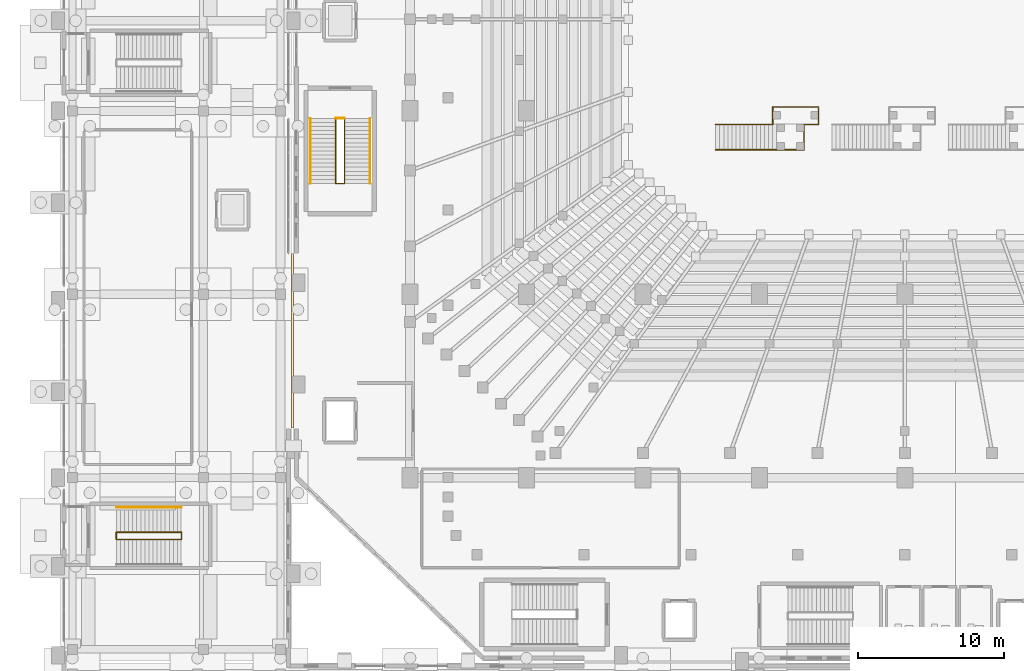
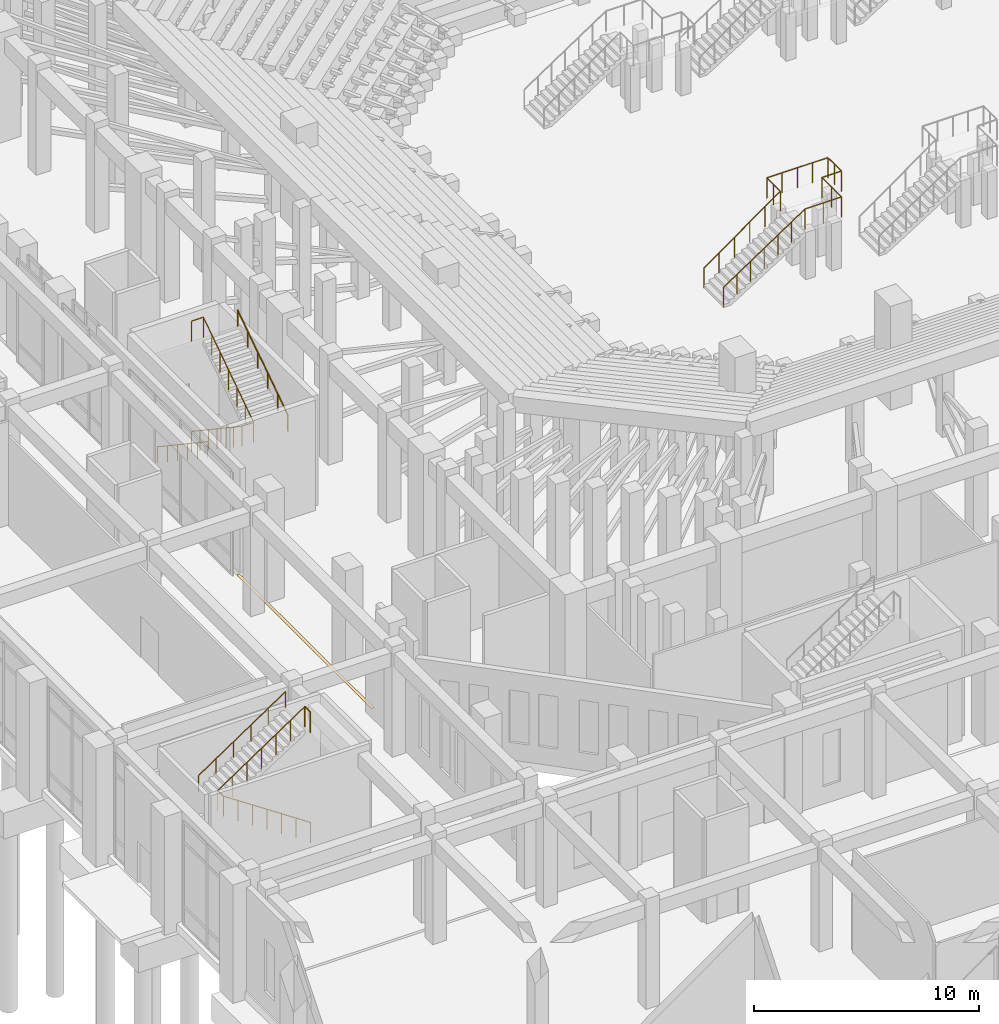
# One storey, part 130 of 143: 8 railings, 1 covering.
"""IFC4 building model written with IfcOpenShell, lengths in metres."""

from ifc_helpers import new_model, si_unit, derived_unit, direction, frame, origin, origin_2d, place, context, subcontext, project, spatial, polyline, circle, outline, extrude, material, layer, layer_set, type_object, element, save


model = new_model("IFC4")

# Units and contexts
model_context = context("Model", 3, precision=1e-05, world=origin(), true_north=direction((0.0, 1.0)))
body_context = subcontext(model_context, "Body", "Model", "MODEL_VIEW")
ifc_project = project(units=[si_unit("LENGTHUNIT", "METRE"), si_unit("AREAUNIT", "SQUARE_METRE"), si_unit("VOLUMEUNIT", "CUBIC_METRE"), si_unit("PLANEANGLEUNIT", "RADIAN"), si_unit("MASSUNIT", "GRAM", prefix="KILO"), derived_unit("THERMALTRANSMITTANCEUNIT", [(si_unit("MASSUNIT", "GRAM", prefix="KILO"), 1), (si_unit("TIMEUNIT", "SECOND"), -3), (si_unit("THERMODYNAMICTEMPERATUREUNIT", "KELVIN"), -1)])], contexts=[model_context])

# Site, building, storey
site_placement = place(None, origin())
site = spatial("IfcSite", under=ifc_project, at=site_placement, CompositionType="ELEMENT")
building_placement = place(site_placement, origin())
building = spatial("IfcBuilding", under=site, at=building_placement, Name="Valcora Ridge Arena", CompositionType="ELEMENT")
storey_placement = place(building_placement, origin())
storey = spatial("IfcBuildingStorey", under=building, at=storey_placement, Name="L00", CompositionType="ELEMENT", Elevation=0.0)

# Covering
ifc_material_1 = material(Name="Steel ASTM A572 Grade 50", Category="steel")
ifc_layer = layer(ifc_material_1, 0.02001953125, Name="Steel ASTM A572 Grade 50")
ifc_layer_set = layer_set([ifc_layer], Name="Steel ASTM A572 Grade 50")
covering_type = type_object("IfcCoveringType", Name="TY-COVERING-COV-SJ-150", PredefinedType="FLOORING", material=ifc_layer_set)
covering_placement = place(storey_placement, frame((0.0, 0.0, -0.02001953125)))
element("IfcCovering", 1, at=covering_placement, inside=storey, type_object=covering_type, Name="COV-SJ-150 COV-SJ-0005", PredefinedType="FLOORING", context=body_context, shape_type="SweptSolid", body=[
    extrude(outline(polyline([(15.85009765625, 36.0), (16.0, 36.0), (16.0, 48.0), (15.85009765625, 48.0), (15.85009765625, 36.0)])), origin(), (0.0, 0.0, 1.0), 0.02001953125),
])

# Railings
ifc_material_2 = material(Name="Galvanized painted steel ASTM A500 Grade B", Category="steel")
railing_type_1 = type_object("IfcRailingType", Name="TY-RAILING-GRD-STAIR-1120", PredefinedType="GUARDRAIL", material=ifc_material_2)
railing_1_placement = place(storey_placement, frame((18.89990234375, 57.2900390625, 0.0)))
element("IfcRailing", 2, at=railing_1_placement, inside=storey, type_object=railing_type_1, Name="GRD-STAIR-1120 RAL-SG-0047", PredefinedType="GUARDRAIL", context=body_context, shape_type="SweptSolid", body=[
    extrude(circle(Radius=0.02392578125, at=origin_2d()), frame((0.0, 0.0, 1.09619140625), z_axis=(0.0, -0.830906055479, 0.556412730775), x_axis=(1.0, 0.0, 0.0)), (0.0, 0.0, 1.0), 5.3916015625),
    extrude(circle(Radius=0.02392578125, at=origin_2d()), frame((0.0, -4.47998046875, 4.09619140625), z_axis=(1.0, 0.0, 0.0), x_axis=(0.0, 1.0, 0.0)), (0.0, 0.0, 1.0), 0.60009765625),
    extrude(circle(Radius=0.02392578125, at=origin_2d()), frame((0.60009765625, -4.47998046875, 4.09619140625), z_axis=(0.0, 0.830906055479, 0.556412730775), x_axis=(-1.0, 0.0, 0.0)), (0.0, 0.0, 1.0), 5.3916015625),
    extrude(circle(Radius=0.02099609375, at=origin_2d()), origin(), (0.0, 0.0, 1.0), 1.072021484375),
    extrude(circle(Radius=0.02099609375, at=origin_2d()), frame((0.0, -0.74658203125, 0.5)), (0.0, 0.0, 1.0), 1.072021484375),
    extrude(circle(Radius=0.02099609375, at=origin_2d()), frame((0.0, -1.493408203125, 1.0)), (0.0, 0.0, 1.0), 1.072021484375),
    extrude(circle(Radius=0.02099609375, at=origin_2d()), frame((0.0, -2.239990234375, 1.5)), (0.0, 0.0, 1.0), 1.072021484375),
    extrude(circle(Radius=0.02099609375, at=origin_2d()), frame((0.0, -2.986572265625, 2.0)), (0.0, 0.0, 1.0), 1.072021484375),
    extrude(circle(Radius=0.02099609375, at=origin_2d()), frame((0.0, -3.7333984375, 2.5)), (0.0, 0.0, 1.0), 1.072021484375),
    extrude(circle(Radius=0.02099609375, at=origin_2d()), frame((0.0, -4.47998046875, 3.0)), (0.0, 0.0, 1.0), 1.072021484375),
    extrude(circle(Radius=0.02099609375, at=origin_2d()), frame((0.60009765625, -4.47998046875, 3.0)), (0.0, 0.0, 1.0), 1.072021484375),
    extrude(circle(Radius=0.02099609375, at=origin_2d()), frame((0.60009765625, -3.7333984375, 3.5)), (0.0, 0.0, 1.0), 1.072021484375),
    extrude(circle(Radius=0.02099609375, at=origin_2d()), frame((0.60009765625, -2.986572265625, 4.0)), (0.0, 0.0, 1.0), 1.072021484375),
    extrude(circle(Radius=0.02099609375, at=origin_2d()), frame((0.60009765625, -2.239990234375, 4.5)), (0.0, 0.0, 1.0), 1.072021484375),
    extrude(circle(Radius=0.02099609375, at=origin_2d()), frame((0.60009765625, -1.493408203125, 5.0)), (0.0, 0.0, 1.0), 1.072021484375),
    extrude(circle(Radius=0.02099609375, at=origin_2d()), frame((0.60009765625, -0.74658203125, 5.5)), (0.0, 0.0, 1.0), 1.072021484375),
    extrude(circle(Radius=0.02099609375, at=origin_2d()), frame((0.60009765625, 0.0, 6.0)), (0.0, 0.0, 1.0), 1.072021484375),
])
railing_2_placement = place(storey_placement, frame((18.89990234375, 57.2900390625, 6.0)))
element("IfcRailing", 3, at=railing_2_placement, inside=storey, type_object=railing_type_1, Name="GRD-STAIR-1120 RAL-SG-0048", PredefinedType="GUARDRAIL", context=body_context, shape_type="SweptSolid", body=[
    extrude(circle(Radius=0.02392578125, at=origin_2d()), frame((0.0, 0.0, 1.09619140625), z_axis=(1.0, 0.0, 0.0), x_axis=(0.0, 1.0, 0.0)), (0.0, 0.0, 1.0), 0.60009765625),
    extrude(circle(Radius=0.02099609375, at=origin_2d()), origin(), (0.0, 0.0, 1.0), 1.072021484375),
    extrude(circle(Radius=0.02099609375, at=origin_2d()), frame((0.60009765625, 0.0, 0.0)), (0.0, 0.0, 1.0), 1.072021484375),
])
railing_3_placement = place(storey_placement, frame((8.300048828125, 28.35009765625, 0.0)))
element("IfcRailing", 4, at=railing_3_placement, inside=storey, type_object=railing_type_1, Name="GRD-STAIR-1120 RAL-SG-0141", PredefinedType="GUARDRAIL", context=body_context, shape_type="SweptSolid", body=[
    extrude(circle(Radius=0.02392578125, at=origin_2d()), frame((0.0, 0.0, 1.09619140625), z_axis=(-0.830906055479, 0.0, 0.556412730775), x_axis=(0.0, -1.0, 0.0)), (0.0, 0.0, 1.0), 5.3916015625),
    extrude(circle(Radius=0.02392578125, at=origin_2d()), frame((-4.47998046875, 0.0, 4.09619140625), z_axis=(0.0, 1.0, 0.0), x_axis=(-1.0, 0.0, 0.0)), (0.0, 0.0, 1.0), 0.5),
    extrude(circle(Radius=0.02392578125, at=origin_2d()), frame((-4.47998046875, 0.5, 4.09619140625), z_axis=(0.830906055479, 0.0, 0.556412730775), x_axis=(0.0, 1.0, 0.0)), (0.0, 0.0, 1.0), 5.3916015625),
    extrude(circle(Radius=0.02099609375, at=origin_2d()), origin(), (0.0, 0.0, 1.0), 1.072021484375),
    extrude(circle(Radius=0.02099609375, at=origin_2d()), frame((-0.74658203125, 0.0, 0.5)), (0.0, 0.0, 1.0), 1.072021484375),
    extrude(circle(Radius=0.02099609375, at=origin_2d()), frame((-1.493408203125, 0.0, 1.0)), (0.0, 0.0, 1.0), 1.072021484375),
    extrude(circle(Radius=0.02099609375, at=origin_2d()), frame((-2.239990234375, 0.0, 1.5)), (0.0, 0.0, 1.0), 1.072021484375),
    extrude(circle(Radius=0.02099609375, at=origin_2d()), frame((-2.986572265625, 0.0, 2.0)), (0.0, 0.0, 1.0), 1.072021484375),
    extrude(circle(Radius=0.02099609375, at=origin_2d()), frame((-3.7333984375, 0.0, 2.5)), (0.0, 0.0, 1.0), 1.072021484375),
    extrude(circle(Radius=0.02099609375, at=origin_2d()), frame((-4.47998046875, 0.0, 3.0)), (0.0, 0.0, 1.0), 1.072021484375),
    extrude(circle(Radius=0.02099609375, at=origin_2d()), frame((-4.47998046875, 0.5, 3.0)), (0.0, 0.0, 1.0), 1.072021484375),
    extrude(circle(Radius=0.02099609375, at=origin_2d()), frame((-3.7333984375, 0.5, 3.5)), (0.0, 0.0, 1.0), 1.072021484375),
    extrude(circle(Radius=0.02099609375, at=origin_2d()), frame((-2.986572265625, 0.5, 4.0)), (0.0, 0.0, 1.0), 1.072021484375),
    extrude(circle(Radius=0.02099609375, at=origin_2d()), frame((-2.239990234375, 0.5, 4.5)), (0.0, 0.0, 1.0), 1.072021484375),
    extrude(circle(Radius=0.02099609375, at=origin_2d()), frame((-1.493408203125, 0.5, 5.0)), (0.0, 0.0, 1.0), 1.072021484375),
    extrude(circle(Radius=0.02099609375, at=origin_2d()), frame((-0.74658203125, 0.5, 5.5)), (0.0, 0.0, 1.0), 1.072021484375),
    extrude(circle(Radius=0.02099609375, at=origin_2d()), frame((0.0, 0.5, 6.0)), (0.0, 0.0, 1.0), 1.072021484375),
])
railing_4_placement = place(storey_placement, frame((8.300048828125, 28.35009765625, 6.0)))
element("IfcRailing", 5, at=railing_4_placement, inside=storey, type_object=railing_type_1, Name="GRD-STAIR-1120 RAL-SG-0142", PredefinedType="GUARDRAIL", context=body_context, shape_type="SweptSolid", body=[
    extrude(circle(Radius=0.02392578125, at=origin_2d()), frame((0.0, 0.0, 1.09619140625), z_axis=(0.0, 1.0, 0.0), x_axis=(-1.0, 0.0, 0.0)), (0.0, 0.0, 1.0), 0.5),
    extrude(circle(Radius=0.02099609375, at=origin_2d()), origin(), (0.0, 0.0, 1.0), 1.072021484375),
    extrude(circle(Radius=0.02099609375, at=origin_2d()), frame((0.0, 0.5, 0.0)), (0.0, 0.0, 1.0), 1.072021484375),
])
railing_5_placement = place(storey_placement, frame((45.0, 55.1298828125, 0.0)))
element("IfcRailing", 6, at=railing_5_placement, inside=storey, type_object=railing_type_1, Name="GRD-STAIR-1120 RAL-SG-0173", PredefinedType="GUARDRAIL", context=body_context, shape_type="SweptSolid", body=[
    extrude(circle(Radius=0.02392578125, at=origin_2d()), frame((0.0, 0.0, 1.09619140625), z_axis=(0.832042853317, 0.0, 0.554711357594), x_axis=(0.0, 1.0, 0.0)), (0.0, 0.0, 1.0), 5.0478515625),
    extrude(circle(Radius=0.02392578125, at=origin_2d()), frame((4.199951171875, 0.0, 3.89599609375), z_axis=(1.0, 0.0, 0.0), x_axis=(0.0, 1.0, 0.0)), (0.0, 0.0, 1.0), 1.8701171875),
    extrude(circle(Radius=0.02392578125, at=origin_2d()), frame((6.070068359375, 0.0, 3.89599609375), z_axis=(0.0, 1.0, 0.0), x_axis=(-1.0, 0.0, 0.0)), (0.0, 0.0, 1.0), 1.740234375),
    extrude(circle(Radius=0.02392578125, at=origin_2d()), frame((6.070068359375, 1.740234375, 3.89599609375), z_axis=(1.0, 0.0, 0.0), x_axis=(0.0, 1.0, 0.0)), (0.0, 0.0, 1.0), 1.0),
    extrude(circle(Radius=0.02392578125, at=origin_2d()), frame((7.070068359375, 1.740234375, 3.89599609375), z_axis=(0.0, 1.0, 0.0), x_axis=(-1.0, 0.0, 0.0)), (0.0, 0.0, 1.0), 1.199951171875),
    extrude(circle(Radius=0.02392578125, at=origin_2d()), frame((7.070068359375, 2.940185546875, 3.89599609375), z_axis=(-1.0, 0.0, 0.0), x_axis=(0.0, -1.0, 0.0)), (0.0, 0.0, 1.0), 3.14013671875),
    extrude(circle(Radius=0.02392578125, at=origin_2d()), frame((3.929931640625, 2.940185546875, 3.89599609375), z_axis=(0.0, -1.0, 0.0), x_axis=(1.0, 0.0, 0.0)), (0.0, 0.0, 1.0), 1.199951171875),
    extrude(circle(Radius=0.02392578125, at=origin_2d()), frame((3.929931640625, 1.740234375, 3.89599609375), z_axis=(-0.814423446672, 0.0, -0.580271013846), x_axis=(0.0, -1.0, 0.0)), (0.0, 0.0, 1.0), 4.825439453125),
    extrude(circle(Radius=0.02099609375, at=origin_2d()), origin(), (0.0, 0.0, 1.0), 1.072021484375),
    extrude(circle(Radius=0.02099609375, at=origin_2d()), frame((0.699951171875, 0.0, 0.466796875)), (0.0, 0.0, 1.0), 1.072021484375),
    extrude(circle(Radius=0.02099609375, at=origin_2d()), frame((1.39990234375, 0.0, 0.933349609375)), (0.0, 0.0, 1.0), 1.072021484375),
    extrude(circle(Radius=0.02099609375, at=origin_2d()), frame((2.10009765625, 0.0, 1.39990234375)), (0.0, 0.0, 1.0), 1.072021484375),
    extrude(circle(Radius=0.02099609375, at=origin_2d()), frame((2.800048828125, 0.0, 1.86669921875)), (0.0, 0.0, 1.0), 1.072021484375),
    extrude(circle(Radius=0.02099609375, at=origin_2d()), frame((3.5, 0.0, 2.33349609375)), (0.0, 0.0, 1.0), 1.072021484375),
    extrude(circle(Radius=0.02099609375, at=origin_2d()), frame((4.199951171875, 0.0, 2.800048828125)), (0.0, 0.0, 1.0), 1.072021484375),
    extrude(circle(Radius=0.02099609375, at=origin_2d()), frame((5.135009765625, 0.0, 2.800048828125)), (0.0, 0.0, 1.0), 1.072021484375),
    extrude(circle(Radius=0.02099609375, at=origin_2d()), frame((6.070068359375, 0.0, 2.800048828125)), (0.0, 0.0, 1.0), 1.072021484375),
    extrude(circle(Radius=0.02099609375, at=origin_2d()), frame((6.070068359375, 0.8701171875, 2.800048828125)), (0.0, 0.0, 1.0), 1.072021484375),
    extrude(circle(Radius=0.02099609375, at=origin_2d()), frame((6.070068359375, 1.740234375, 2.800048828125)), (0.0, 0.0, 1.0), 1.072021484375),
    extrude(circle(Radius=0.02099609375, at=origin_2d()), frame((7.070068359375, 1.740234375, 2.800048828125)), (0.0, 0.0, 1.0), 1.072021484375),
    extrude(circle(Radius=0.02099609375, at=origin_2d()), frame((7.070068359375, 2.34033203125, 2.800048828125)), (0.0, 0.0, 1.0), 1.072021484375),
    extrude(circle(Radius=0.02099609375, at=origin_2d()), frame((7.070068359375, 2.940185546875, 2.800048828125)), (0.0, 0.0, 1.0), 1.072021484375),
    extrude(circle(Radius=0.02099609375, at=origin_2d()), frame((6.28515625, 2.940185546875, 2.800048828125)), (0.0, 0.0, 1.0), 1.072021484375),
    extrude(circle(Radius=0.02099609375, at=origin_2d()), frame((5.5, 2.940185546875, 2.800048828125)), (0.0, 0.0, 1.0), 1.072021484375),
    extrude(circle(Radius=0.02099609375, at=origin_2d()), frame((4.71484375, 2.940185546875, 2.800048828125)), (0.0, 0.0, 1.0), 1.072021484375),
    extrude(circle(Radius=0.02099609375, at=origin_2d()), frame((3.929931640625, 2.940185546875, 2.800048828125)), (0.0, 0.0, 1.0), 1.072021484375),
    extrude(circle(Radius=0.02099609375, at=origin_2d()), frame((3.929931640625, 2.34033203125, 2.800048828125)), (0.0, 0.0, 1.0), 1.072021484375),
    extrude(circle(Radius=0.02099609375, at=origin_2d()), frame((3.929931640625, 1.740234375, 2.800048828125)), (0.0, 0.0, 1.0), 1.072021484375),
    extrude(circle(Radius=0.02099609375, at=origin_2d()), frame((3.14404296875, 1.740234375, 2.239990234375)), (0.0, 0.0, 1.0), 1.072021484375),
    extrude(circle(Radius=0.02099609375, at=origin_2d()), frame((2.35791015625, 1.740234375, 1.679931640625)), (0.0, 0.0, 1.0), 1.072021484375),
    extrude(circle(Radius=0.02099609375, at=origin_2d()), frame((1.572021484375, 1.740234375, 1.1201171875)), (0.0, 0.0, 1.0), 1.072021484375),
    extrude(circle(Radius=0.02099609375, at=origin_2d()), frame((0.785888671875, 1.740234375, 0.56005859375)), (0.0, 0.0, 1.0), 1.072021484375),
    extrude(circle(Radius=0.02099609375, at=origin_2d()), frame((0.0, 1.740234375, 0.0)), (0.0, 0.0, 1.0), 1.072021484375),
])
railing_type_2 = type_object("IfcRailingType", Name="TY-RAILING-HR-STAIR-900", PredefinedType="HANDRAIL", material=ifc_material_2)
railing_6_placement = place(storey_placement, frame((17.139892578125, 57.2900390625, 0.0)))
element("IfcRailing", 7, at=railing_6_placement, inside=storey, type_object=railing_type_2, Name="HR-STAIR-900 RAL-SH-0047", PredefinedType="HANDRAIL", context=body_context, shape_type="SweptSolid", body=[
    extrude(circle(Radius=0.02392578125, at=origin_2d()), frame((0.0, 0.0, 0.8759765625), z_axis=(0.0, -0.830906055479, 0.556412730775), x_axis=(1.0, 0.0, 0.0)), (0.0, 0.0, 1.0), 5.3916015625),
    extrude(circle(Radius=0.02099609375, at=origin_2d()), origin(), (0.0, 0.0, 1.0), 0.851806640625),
    extrude(circle(Radius=0.02099609375, at=origin_2d()), frame((0.0, -0.89599609375, 0.60009765625)), (0.0, 0.0, 1.0), 0.851806640625),
    extrude(circle(Radius=0.02099609375, at=origin_2d()), frame((0.0, -1.7919921875, 1.199951171875)), (0.0, 0.0, 1.0), 0.851806640625),
    extrude(circle(Radius=0.02099609375, at=origin_2d()), frame((0.0, -2.68798828125, 1.800048828125)), (0.0, 0.0, 1.0), 0.851806640625),
    extrude(circle(Radius=0.02099609375, at=origin_2d()), frame((0.0, -3.583984375, 2.39990234375)), (0.0, 0.0, 1.0), 0.851806640625),
    extrude(circle(Radius=0.02099609375, at=origin_2d()), frame((0.0, -4.47998046875, 3.0)), (0.0, 0.0, 1.0), 0.851806640625),
])
railing_7_placement = place(storey_placement, frame((21.260009765625, 52.81005859375, 3.0)))
element("IfcRailing", 8, at=railing_7_placement, inside=storey, type_object=railing_type_2, Name="HR-STAIR-900 RAL-SH-0048", PredefinedType="HANDRAIL", context=body_context, shape_type="SweptSolid", body=[
    extrude(circle(Radius=0.02392578125, at=origin_2d()), frame((0.0, 0.0, 0.8759765625), z_axis=(0.0, 0.830906055479, 0.556412730775), x_axis=(-1.0, 0.0, 0.0)), (0.0, 0.0, 1.0), 5.3916015625),
    extrude(circle(Radius=0.02099609375, at=origin_2d()), origin(), (0.0, 0.0, 1.0), 0.851806640625),
    extrude(circle(Radius=0.02099609375, at=origin_2d()), frame((0.0, 0.89599609375, 0.60009765625)), (0.0, 0.0, 1.0), 0.851806640625),
    extrude(circle(Radius=0.02099609375, at=origin_2d()), frame((0.0, 1.7919921875, 1.199951171875)), (0.0, 0.0, 1.0), 0.851806640625),
    extrude(circle(Radius=0.02099609375, at=origin_2d()), frame((0.0, 2.68798828125, 1.800048828125)), (0.0, 0.0, 1.0), 0.851806640625),
    extrude(circle(Radius=0.02099609375, at=origin_2d()), frame((0.0, 3.583984375, 2.39990234375)), (0.0, 0.0, 1.0), 0.851806640625),
    extrude(circle(Radius=0.02099609375, at=origin_2d()), frame((0.0, 4.47998046875, 3.0)), (0.0, 0.0, 1.0), 0.851806640625),
])
railing_8_placement = place(storey_placement, frame((3.820068359375, 30.56005859375, 3.0)))
element("IfcRailing", 9, at=railing_8_placement, inside=storey, type_object=railing_type_2, Name="HR-STAIR-900 RAL-SH-0142", PredefinedType="HANDRAIL", context=body_context, shape_type="SweptSolid", body=[
    extrude(circle(Radius=0.02392578125, at=origin_2d()), frame((0.0, 0.0, 0.8759765625), z_axis=(0.830906055479, 0.0, 0.556412730775), x_axis=(0.0, 1.0, 0.0)), (0.0, 0.0, 1.0), 5.3916015625),
    extrude(circle(Radius=0.02099609375, at=origin_2d()), origin(), (0.0, 0.0, 1.0), 0.851806640625),
    extrude(circle(Radius=0.02099609375, at=origin_2d()), frame((0.89599609375, 0.0, 0.60009765625)), (0.0, 0.0, 1.0), 0.851806640625),
    extrude(circle(Radius=0.02099609375, at=origin_2d()), frame((1.7919921875, 0.0, 1.199951171875)), (0.0, 0.0, 1.0), 0.851806640625),
    extrude(circle(Radius=0.02099609375, at=origin_2d()), frame((2.68798828125, 0.0, 1.800048828125)), (0.0, 0.0, 1.0), 0.851806640625),
    extrude(circle(Radius=0.02099609375, at=origin_2d()), frame((3.583984375, 0.0, 2.39990234375)), (0.0, 0.0, 1.0), 0.851806640625),
    extrude(circle(Radius=0.02099609375, at=origin_2d()), frame((4.47998046875, 0.0, 3.0)), (0.0, 0.0, 1.0), 0.851806640625),
])

save(model, "model.ifc")
